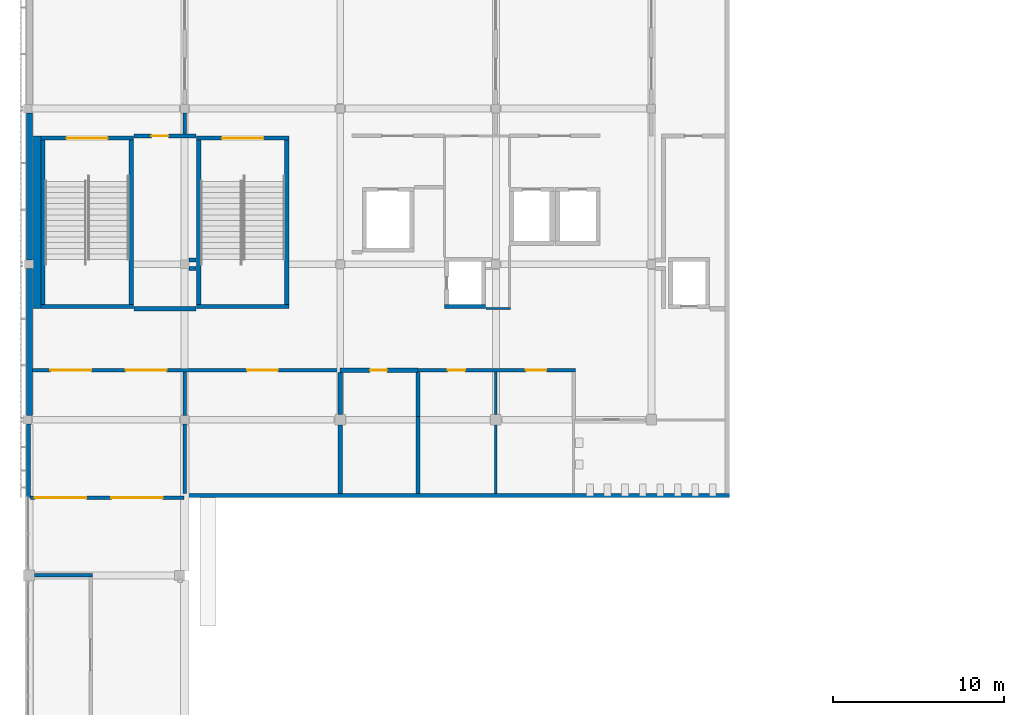
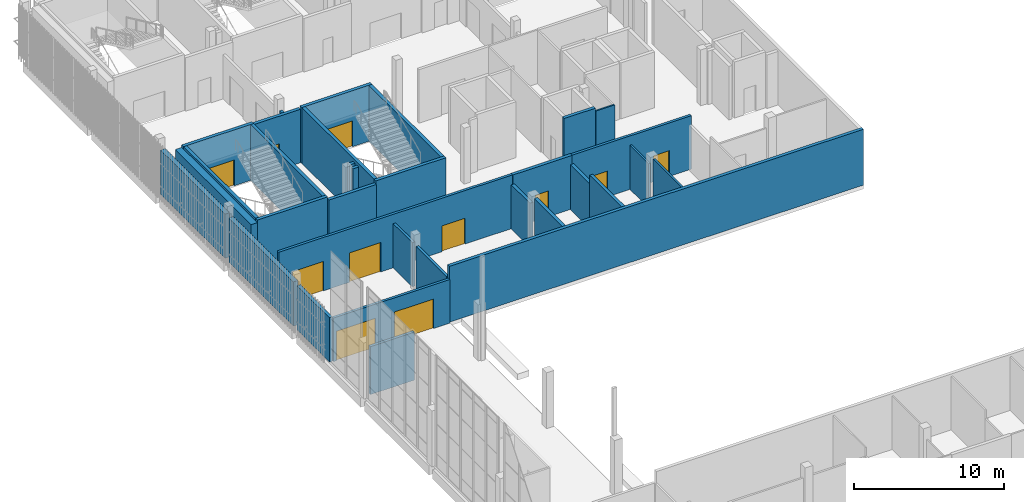
# One storey, part 47 of 91: 33 walls, 11 doors, 11 openings.
"""IFC4 building model written with IfcOpenShell, lengths in metres."""

import ifcopenshell
import ifcopenshell.guid

model = None  # the IFC model being written
_history = None  # IfcOwnerHistory: only IFC2X3 demands one
_inside = {}  # id of a spatial element -> (the spatial element, [elements in it])
_under = {}  # id of a project, library or spatial element -> (it, [spatial elements below it])
_declared = {}  # id of a project -> (the project, [libraries it declares])
_typed = {}  # id of a type object -> (the type object, [elements of that type])
_made_of = {}  # id of a material, layer set ... -> (it, [elements and type objects made of it])


def new_model(schema):
    """Start an empty IFC model of exactly this schema.

    Asked for "IFC4X3", IfcOpenShell would pick the latest addendum, in which some entities
    have other attributes; the version numbers below select the first issue.
    IFC2X3 requires an IfcOwnerHistory on every rooted entity: one is made here for all.
    """
    global model, _history
    if schema == "IFC4X3":
        model = ifcopenshell.file(schema_version=(4, 3, 0, 0))
    else:
        model = ifcopenshell.file(schema=schema)
    _inside.clear()
    _under.clear()
    _declared.clear()
    _typed.clear()
    _made_of.clear()
    _history = None
    if model.schema == "IFC2X3":
        org = make("IfcOrganization", Name="unknown")
        user = make(
            "IfcPersonAndOrganization",
            ThePerson=make("IfcPerson", FamilyName="unknown"),
            TheOrganization=org,
        )
        app = make(
            "IfcApplication",
            ApplicationDeveloper=org,
            Version="unknown",
            ApplicationFullName="unknown",
            ApplicationIdentifier="unknown",
        )
        _history = make(
            "IfcOwnerHistory",
            OwningUser=user,
            OwningApplication=app,
            ChangeAction="ADDED",
            CreationDate=0,
        )
    return model


def make(cls, **values):
    """One entity of the class cls with the attributes given. An attribute that is None is left unset."""
    return model.create_entity(
        cls, **{name: value for name, value in values.items() if value is not None}
    )


def rooted(cls, **values):
    """An entity with a GlobalId (a new one), such as an element, a storey or a relation."""
    return make(cls, GlobalId=ifcopenshell.guid.new(), OwnerHistory=_history, **values)


def si_unit(unit_type, name, prefix=None):
    """IfcSIUnit, for example si_unit("LENGTHUNIT", "METRE", prefix="MILLI")."""
    return make("IfcSIUnit", UnitType=unit_type, Prefix=prefix, Name=name)


def assignment(units):
    """IfcUnitAssignment: the units of a project."""
    return None if units is None else make("IfcUnitAssignment", Units=units)


def point(xyz):
    """IfcCartesianPoint."""
    return None if xyz is None else make("IfcCartesianPoint", Coordinates=xyz)


def direction(xyz):
    """IfcDirection."""
    return None if xyz is None else make("IfcDirection", DirectionRatios=xyz)


def frame(location, z_axis=None, x_axis=None):
    """IfcAxis2Placement3D, a coordinate frame: its origin and axes. An axis left out is left unset."""
    return make(
        "IfcAxis2Placement3D",
        Location=point(location),
        Axis=direction(z_axis),
        RefDirection=direction(x_axis),
    )


def frame_2d(location, x_axis=None):
    """IfcAxis2Placement2D, a coordinate frame in the plane: its origin and x axis."""
    return make(
        "IfcAxis2Placement2D", Location=point(location), RefDirection=direction(x_axis)
    )


def origin():
    """The frame at (0, 0, 0) with its axes left unset."""
    return frame((0.0, 0.0, 0.0))


def place(relative_to, where):
    """IfcLocalPlacement: puts the frame where relative to a parent placement (None: the world)."""
    return make(
        "IfcLocalPlacement", PlacementRelTo=relative_to, RelativePlacement=where
    )


def context(
    kind, dimensions, precision=None, world=None, true_north=None, identifier=None
):
    """IfcGeometricRepresentationContext, for example the 3D "Model" context."""
    return make(
        "IfcGeometricRepresentationContext",
        ContextIdentifier=identifier,
        ContextType=kind,
        CoordinateSpaceDimension=dimensions,
        Precision=precision,
        WorldCoordinateSystem=world,
        TrueNorth=true_north,
    )


def subcontext(parent, identifier, kind, view, scale=None):
    """IfcGeometricRepresentationSubContext, for example "Body" below "Model"."""
    return make(
        "IfcGeometricRepresentationSubContext",
        ContextIdentifier=identifier,
        ContextType=kind,
        ParentContext=parent,
        TargetScale=scale,
        TargetView=view,
    )


def project(units=None, contexts=None):
    """IfcProject with its units and contexts."""
    return rooted(
        "IfcProject",
        Name="project",
        RepresentationContexts=contexts,
        UnitsInContext=assignment(units),
    )


def spatial(cls, under=None, at=None, **own):
    """A site, building, storey or space (cls), placed at a placement, below another one or the project."""
    s = rooted(cls, ObjectPlacement=at, **own)
    if under is not None:
        _under.setdefault(under.id(), (under, []))[1].append(s)
    return s


def profile(cls, at=None, kind="AREA", **sizes):
    """A parametric profile (cls). Its sizes go by their IFC names, for example OverallWidth=200.0."""
    return make(cls, ProfileType=kind, Position=at, **sizes)


def rectangle(**sizes):
    """IfcRectangleProfileDef."""
    return profile("IfcRectangleProfileDef", **sizes)


def extrude(swept, where, along, depth):
    """IfcExtrudedAreaSolid: the profile swept, set in the frame where, extruded along a direction by depth."""
    return make(
        "IfcExtrudedAreaSolid",
        SweptArea=swept,
        Position=where,
        ExtrudedDirection=direction(along),
        Depth=depth,
    )


def shape(context_of_items, identifier, shape_type, items):
    """IfcShapeRepresentation: the items that make up one representation, for example the "Body"."""
    return make(
        "IfcShapeRepresentation",
        ContextOfItems=context_of_items,
        RepresentationIdentifier=identifier,
        RepresentationType=shape_type,
        Items=items,
    )


def material(Name=None, Category=None):
    """IfcMaterial."""
    return make("IfcMaterial", Name=Name, Category=Category)


def layer(
    of_material, thickness, ventilated=None, Name=None, Category=None, Priority=None
):
    """IfcMaterialLayer: one layer of a wall or slab, of a material (None: an air gap)."""
    return make(
        "IfcMaterialLayer",
        Material=of_material,
        LayerThickness=thickness,
        IsVentilated=ventilated,
        Name=Name,
        Category=Category,
        Priority=Priority,
    )


def layer_set(layers, Name=None):
    """IfcMaterialLayerSet."""
    return make("IfcMaterialLayerSet", MaterialLayers=layers, LayerSetName=Name)


def made_of(thing, what):
    """Note that an element or type object is made of a material, layer set ...; save() writes the relation."""
    if what is not None:
        _made_of.setdefault(what.id(), (what, []))[1].append(thing)
    return thing


def type_object(cls, material=None, **own):
    """A type object (cls), such as IfcWallType, which elements share."""
    return made_of(rooted(cls, **own), material)


def element(
    cls,
    number,
    at=None,
    inside=None,
    cuts=None,
    type_object=None,
    material=None,
    context=None,
    identifier="Body",
    shape_type=None,
    held_by="IfcProductDefinitionShape",
    body=None,
    shapes=None,
    **own,
):
    """One element of the class cls, such as IfcWall. Its Tag is "e" and its number.

    at: its placement. inside: the storey or other place that contains it. cuts: it is an
    opening in that element (IfcRelVoidsElement). A single representation is given by context,
    identifier, shape_type and body (its items); several are given by shapes. held_by: the class
    of the entity that holds the representations. save() writes the other relations.
    """
    e = rooted(cls, Tag="e%d" % number, ObjectPlacement=at, **own)
    if body is not None:
        shapes = [shape(context, identifier, shape_type, body)]
    if shapes is not None:
        e.Representation = make(held_by, Representations=shapes)
    if inside is not None:
        _inside.setdefault(inside.id(), (inside, []))[1].append(e)
    if cuts is not None:
        rooted(
            "IfcRelVoidsElement", RelatingBuildingElement=cuts, RelatedOpeningElement=e
        )
    if type_object is not None:
        _typed.setdefault(type_object.id(), (type_object, []))[1].append(e)
    return made_of(e, material)


def fill(opening, filler):
    """IfcRelFillsElement: the door or window that sits in an opening."""
    return rooted(
        "IfcRelFillsElement",
        RelatingOpeningElement=opening,
        RelatedBuildingElement=filler,
    )


def aggregate(whole, parts):
    """IfcRelAggregates: a whole, such as a stair, and the parts it consists of."""
    return rooted("IfcRelAggregates", RelatingObject=whole, RelatedObjects=parts)


def save(model, path):
    """Write the relations noted so far, then the file.

    IfcRelAggregates (storeys below a building ...), IfcRelContainedInSpatialStructure (elements
    in a storey), IfcRelDefinesByType, IfcRelAssociatesMaterial and IfcRelDeclares: one each for
    every whole, place, type object, material and project.
    """
    for whole, parts in _under.values():
        aggregate(whole, parts)
    for where, things in _inside.values():
        rooted(
            "IfcRelContainedInSpatialStructure",
            RelatedElements=things,
            RelatingStructure=where,
        )
    for kind, things in _typed.values():
        rooted("IfcRelDefinesByType", RelatedObjects=things, RelatingType=kind)
    for what, things in _made_of.values():
        rooted("IfcRelAssociatesMaterial", RelatedObjects=things, RelatingMaterial=what)
    for by, libraries in _declared.values():
        rooted("IfcRelDeclares", RelatingContext=by, RelatedDefinitions=libraries)
    model.write(path)


model = new_model("IFC4")

# Units and contexts
model_context = context("Model", 3, precision=1e-05, world=origin(), true_north=direction((0.0, 1.0)))
body_context = subcontext(model_context, "Body", "Model", "MODEL_VIEW")
ifc_project = project(units=[si_unit("LENGTHUNIT", "METRE"), si_unit("AREAUNIT", "SQUARE_METRE"), si_unit("VOLUMEUNIT", "CUBIC_METRE"), si_unit("PLANEANGLEUNIT", "RADIAN"), si_unit("MASSUNIT", "GRAM", prefix="KILO")], contexts=[model_context])

# Site, building, storey
site_placement = place(None, origin())
site = spatial("IfcSite", under=ifc_project, at=site_placement, CompositionType="ELEMENT")
building_placement = place(site_placement, origin())
building = spatial("IfcBuilding", under=site, at=building_placement, Name="Shirokan Park Arena", CompositionType="ELEMENT")
storey_placement = place(building_placement, frame((0.0, 0.0, 24.570068359375)))
storey = spatial("IfcBuildingStorey", under=building, at=storey_placement, Name="L05", CompositionType="ELEMENT", Elevation=24.570068359375)

# Wall, opening, door
ifc_material_1 = material(Name="Plaster")
ifc_layer_1 = layer(ifc_material_1, 0.014892578125, Name="Plaster")
ifc_material_2 = material(Name="Concrete blockwork", Category="masonry")
ifc_layer_2 = layer(ifc_material_2, 0.219970703125, Name="Concrete blockwork 220")
ifc_layer_3 = layer(ifc_material_1, 0.014892578125, Name="Plaster")
ifc_layer_set_1 = layer_set([ifc_layer_1, ifc_layer_2, ifc_layer_3], Name="Plaster + Concrete blockwork 220")
wall_type_1 = type_object("IfcWallType", Name="Compartment wall 250", PredefinedType="SOLIDWALL", material=ifc_layer_set_1)
wall_1_placement = place(storey_placement, frame((6.1298828125, 89.39990234375, 0.0), z_axis=(0.0, 0.0, 1.0), x_axis=(1.0, 0.0, 0.0)))
wall_1 = element("IfcWall", 1, at=wall_1_placement, inside=storey, type_object=wall_type_1, Name="Compartment wall 250 L05", PredefinedType="SOLIDWALL", context=body_context, shape_type="SweptSolid", body=[
    extrude(rectangle(XDim=3.64013671875, YDim=0.25, at=frame_2d((1.820068359375, 0.0))), origin(), (0.0, 0.0, 1.0), 4.349853515625),
])
opening_1_placement = place(wall_1_placement, frame((1.02001953125, 0.0, 0.0)))
opening_1 = element("IfcOpeningElement", 2, at=opening_1_placement, cuts=wall_1, Name="Opening D-5033", PredefinedType="OPENING", context=body_context, shape_type="SweptSolid", body=[
    extrude(rectangle(XDim=1.0, YDim=2.10009765625, at=frame_2d((0.5, 1.050048828125))), frame((0.0, 0.135009765625, 0.0), z_axis=(0.0, -1.0, 0.0), x_axis=(1.0, 0.0, 0.0)), (0.0, 0.0, 1.0), 0.27001953125),
])
ifc_material_3 = material(Name="Timber door set, fire resisting", Category="wood")
door_type_1 = type_object("IfcDoorType", Name="Door 1000 x 2100", OperationType="SINGLE_SWING_LEFT", PredefinedType="DOOR", material=ifc_material_3)
door_1_placement = place(opening_1_placement, origin())
door_1 = element("IfcDoor", 3, at=door_1_placement, inside=storey, type_object=door_type_1, Name="Door to Kiosk Store 5.47 D-5033", OperationType="SINGLE_SWING_RIGHT", OverallHeight=2.10009765625, OverallWidth=1.0, PredefinedType="DOOR", context=body_context, shape_type="SweptSolid", body=[
    extrude(rectangle(XDim=1.0, YDim=2.10009765625, at=frame_2d((0.5, 1.050048828125))), frame((0.0, 0.02490234375, 0.0), z_axis=(0.0, -1.0, 0.0), x_axis=(1.0, 0.0, 0.0)), (0.0, 0.0, 1.0), 0.050048828125),
])
fill(opening_1, door_1)

# Walls
wall_2_placement = place(storey_placement, frame((9.35009765625, 81.64990234375, 0.0), z_axis=(0.0, 0.0, 1.0), x_axis=(1.0, 0.0, 0.0)))
element("IfcWall", 4, at=wall_2_placement, inside=storey, type_object=wall_type_1, Name="Compartment wall 250 L05", PredefinedType="SOLIDWALL", context=body_context, shape_type="SweptSolid", body=[
    extrude(rectangle(XDim=0.419921875, YDim=0.25, at=frame_2d((0.2099609375, 0.0))), origin(), (0.0, 0.0, 1.0), 4.349853515625),
])
wall_3_placement = place(storey_placement, frame((9.77001953125, 79.300048828125, 0.0), z_axis=(0.0, 0.0, 1.0), x_axis=(-1.0, 0.0, 0.0)))
element("IfcWall", 5, at=wall_3_placement, inside=storey, type_object=wall_type_1, Name="Compartment wall 250 L05", PredefinedType="SOLIDWALL", context=body_context, shape_type="SweptSolid", body=[
    extrude(rectangle(XDim=3.64013671875, YDim=0.25, at=frame_2d((1.820068359375, 0.0))), origin(), (0.0, 0.0, 1.0), 4.349853515625),
])
wall_4_placement = place(storey_placement, frame((9.77001953125, 82.14990234375, 0.0), z_axis=(0.0, 0.0, 1.0), x_axis=(-1.0, 0.0, 0.0)))
element("IfcWall", 6, at=wall_4_placement, inside=storey, type_object=wall_type_1, Name="Compartment wall 250 L05", PredefinedType="SOLIDWALL", context=body_context, shape_type="SweptSolid", body=[
    extrude(rectangle(XDim=0.419921875, YDim=0.25, at=frame_2d((0.2099609375, 0.0))), origin(), (0.0, 0.0, 1.0), 4.349853515625),
])
wall_5_placement = place(storey_placement, frame((18.199951171875, 72.5, 0.0), z_axis=(0.0, 0.0, 1.0), x_axis=(0.0, -1.0, 0.0)))
element("IfcWall", 7, at=wall_5_placement, inside=storey, type_object=wall_type_1, Name="Compartment wall 250 L05", PredefinedType="SOLIDWALL", context=body_context, shape_type="SweptSolid", body=[
    extrude(rectangle(XDim=4.0, YDim=0.25, at=frame_2d((2.0, 0.0))), origin(), (0.0, 0.0, 1.0), 4.349853515625),
])
wall_6_placement = place(storey_placement, frame((18.199951171875, 75.574951171875, 0.0), z_axis=(0.0, 0.0, 1.0), x_axis=(0.0, -1.0, 0.0)))
element("IfcWall", 8, at=wall_6_placement, inside=storey, type_object=wall_type_1, Name="Compartment wall 250 L05", PredefinedType="SOLIDWALL", context=body_context, shape_type="SweptSolid", body=[
    extrude(rectangle(XDim=2.474853515625, YDim=0.25, at=frame_2d((1.2373046875, 0.0))), origin(), (0.0, 0.0, 1.0), 3.599853515625),
])

# Wall, opening, door
wall_7_placement = place(storey_placement, frame((18.199951171875, 75.699951171875, 0.0), z_axis=(0.0, 0.0, 1.0), x_axis=(1.0, 0.0, 0.0)))
wall_7 = element("IfcWall", 9, at=wall_7_placement, inside=storey, type_object=wall_type_1, Name="Compartment wall 250 L05", PredefinedType="SOLIDWALL", context=body_context, shape_type="SweptSolid", body=[
    extrude(rectangle(XDim=4.550048828125, YDim=0.25, at=frame_2d((2.27490234375, 0.0))), origin(), (0.0, 0.0, 1.0), 4.349853515625),
])
opening_2_placement = place(wall_7_placement, frame((1.75, 0.0, 0.0)))
opening_2 = element("IfcOpeningElement", 10, at=opening_2_placement, cuts=wall_7, Name="Opening D-5040", PredefinedType="OPENING", context=body_context, shape_type="SweptSolid", body=[
    extrude(rectangle(XDim=1.0, YDim=2.10009765625, at=frame_2d((0.5, 1.050048828125))), frame((0.0, 0.135009765625, 0.0), z_axis=(0.0, -1.0, 0.0), x_axis=(1.0, 0.0, 0.0)), (0.0, 0.0, 1.0), 0.27001953125),
])
door_2_placement = place(opening_2_placement, origin())
door_2 = element("IfcDoor", 11, at=door_2_placement, inside=storey, type_object=door_type_1, Name="Door to Beverage Store 5.42 D-5040", OperationType="SINGLE_SWING_LEFT", OverallHeight=2.10009765625, OverallWidth=1.0, PredefinedType="DOOR", context=body_context, shape_type="SweptSolid", body=[
    extrude(rectangle(XDim=1.0, YDim=2.10009765625, at=frame_2d((0.5, 1.050048828125))), frame((0.0, 0.02490234375, 0.0), z_axis=(0.0, -1.0, 0.0), x_axis=(1.0, 0.0, 0.0)), (0.0, 0.0, 1.0), 0.050048828125),
])
fill(opening_2, door_2)

# Walls
wall_8_placement = place(storey_placement, frame((22.75, 75.574951171875, 0.0), z_axis=(0.0, 0.0, 1.0), x_axis=(0.0, -1.0, 0.0)))
element("IfcWall", 12, at=wall_8_placement, inside=storey, type_object=wall_type_1, Name="Compartment wall 250 L05", PredefinedType="SOLIDWALL", context=body_context, shape_type="SweptSolid", body=[
    extrude(rectangle(XDim=2.574951171875, YDim=0.25, at=frame_2d((1.28759765625, 0.0))), origin(), (0.0, 0.0, 1.0), 3.64990234375),
])
wall_9_placement = place(storey_placement, frame((22.75, 73.0, 0.0), z_axis=(0.0, 0.0, 1.0), x_axis=(0.0, -1.0, 0.0)))
element("IfcWall", 13, at=wall_9_placement, inside=storey, type_object=wall_type_1, Name="Compartment wall 250 L05", PredefinedType="SOLIDWALL", context=body_context, shape_type="SweptSolid", body=[
    extrude(rectangle(XDim=4.5, YDim=0.25, at=frame_2d((2.25, 0.0))), origin(), (0.0, 0.0, 1.0), 4.349853515625),
])

# Wall, openings, doors
ifc_material_4 = material(Name="Gypsum board")
ifc_layer_4 = layer(ifc_material_4, 0.02490234375, Name="Gypsum board, two layers")
ifc_material_5 = material(Name="Mineral wool insulation")
ifc_layer_5 = layer(ifc_material_5, 0.14990234375, Name="Mineral wool insulation")
ifc_layer_6 = layer(ifc_material_4, 0.02490234375, Name="Gypsum board, two layers")
ifc_layer_set_2 = layer_set([ifc_layer_4, ifc_layer_5, ifc_layer_6], Name="Gypsum board, two layers + Mineral wool insulation")
wall_type_2 = type_object("IfcWallType", Name="Corridor wall 200", PredefinedType="PARTITIONING", material=ifc_layer_set_2)
wall_10_placement = place(storey_placement, frame((0.10009765625, 68.25, 0.0), z_axis=(0.0, 0.0, 1.0), x_axis=(1.0, 0.0, 0.0)))
wall_10 = element("IfcWall", 14, at=wall_10_placement, inside=storey, type_object=wall_type_2, Name="Corridor wall 200 L05", PredefinedType="PARTITIONING", context=body_context, shape_type="SweptSolid", body=[
    extrude(rectangle(XDim=8.969970703125, YDim=0.199951171875, at=frame_2d((4.48486328125, 0.0))), origin(), (0.0, 0.0, 1.0), 3.550048828125),
])
opening_3_placement = place(wall_10_placement, frame((4.719970703125, 0.0, 0.0)))
opening_3 = element("IfcOpeningElement", 15, at=opening_3_placement, cuts=wall_10, Name="Opening D-5120", PredefinedType="OPENING", context=body_context, shape_type="SweptSolid", body=[
    extrude(rectangle(XDim=3.0, YDim=2.39990234375, at=frame_2d((1.5, 1.199951171875))), frame((0.0, 0.10986328125, 0.0), z_axis=(0.0, -1.0, 0.0), x_axis=(1.0, 0.0, 0.0)), (0.0, 0.0, 1.0), 0.219970703125),
])
opening_4_placement = place(wall_10_placement, frame((0.25, 0.0, 0.0)))
opening_4 = element("IfcOpeningElement", 16, at=opening_4_placement, cuts=wall_10, Name="Opening D-5121", PredefinedType="OPENING", context=body_context, shape_type="SweptSolid", body=[
    extrude(rectangle(XDim=3.0, YDim=2.39990234375, at=frame_2d((1.5, 1.199951171875))), frame((0.0, 0.10986328125, 0.0), z_axis=(0.0, -1.0, 0.0), x_axis=(1.0, 0.0, 0.0)), (0.0, 0.0, 1.0), 0.219970703125),
])
ifc_material_6 = material(Name="Glazed steel door set, fire resisting", Category="steel")
door_type_2 = type_object("IfcDoorType", Name="Concourse door 3000 x 2400", OperationType="DOUBLE_DOOR_SINGLE_SWING", PredefinedType="DOOR", material=ifc_material_6)
door_3_placement = place(opening_3_placement, origin())
door_3 = element("IfcDoor", 17, at=door_3_placement, inside=storey, type_object=door_type_2, Name="Door between Concourse Link 4.5 and Concourse L05 West Hall D-5120", OperationType="DOUBLE_DOOR_SINGLE_SWING", OverallHeight=2.39990234375, OverallWidth=3.0, PredefinedType="DOOR", context=body_context, shape_type="SweptSolid", body=[
    extrude(rectangle(XDim=3.0, YDim=2.39990234375, at=frame_2d((1.5, 1.199951171875))), frame((0.0, 0.02490234375, 0.0), z_axis=(0.0, -1.0, 0.0), x_axis=(1.0, 0.0, 0.0)), (0.0, 0.0, 1.0), 0.050048828125),
])
fill(opening_3, door_3)
door_4_placement = place(opening_4_placement, origin())
door_4 = element("IfcDoor", 18, at=door_4_placement, inside=storey, type_object=door_type_2, Name="Door between Concourse Link 4.5 and Concourse L05 West Hall D-5121", OperationType="DOUBLE_DOOR_SINGLE_SWING", OverallHeight=2.39990234375, OverallWidth=3.0, PredefinedType="DOOR", context=body_context, shape_type="SweptSolid", body=[
    extrude(rectangle(XDim=3.0, YDim=2.39990234375, at=frame_2d((1.5, 1.199951171875))), frame((0.0, 0.02490234375, 0.0), z_axis=(0.0, -1.0, 0.0), x_axis=(1.0, 0.0, 0.0)), (0.0, 0.0, 1.0), 0.050048828125),
])
fill(opening_4, door_4)

# Walls
wall_11_placement = place(storey_placement, frame((9.10009765625, 68.5, 0.0), z_axis=(0.0, 0.0, 1.0), x_axis=(0.0, 1.0, 0.0)))
element("IfcWall", 19, at=wall_11_placement, inside=storey, type_object=wall_type_2, Name="Corridor wall 200 L05", PredefinedType="PARTITIONING", context=body_context, shape_type="SweptSolid", body=[
    extrude(rectangle(XDim=4.050048828125, YDim=0.199951171875, at=frame_2d((2.02490234375, 0.0))), origin(), (0.0, 0.0, 1.0), 3.599853515625),
])
wall_12_placement = place(storey_placement, frame((9.10009765625, 73.050048828125, 0.0), z_axis=(0.0, 0.0, 1.0), x_axis=(0.0, 1.0, 0.0)))
element("IfcWall", 20, at=wall_12_placement, inside=storey, type_object=wall_type_2, Name="Corridor wall 200 L05", PredefinedType="PARTITIONING", context=body_context, shape_type="SweptSolid", body=[
    extrude(rectangle(XDim=2.550048828125, YDim=0.199951171875, at=frame_2d((1.27490234375, 0.0))), origin(), (0.0, 0.0, 1.0), 3.599853515625),
])

# Wall, openings, doors
wall_13_placement = place(storey_placement, frame((0.199951171875, 75.699951171875, 0.0), z_axis=(0.0, 0.0, 1.0), x_axis=(1.0, 0.0, 0.0)))
wall_13 = element("IfcWall", 21, at=wall_13_placement, inside=storey, type_object=wall_type_2, Name="Corridor wall 200 L05", PredefinedType="PARTITIONING", context=body_context, shape_type="SweptSolid", body=[
    extrude(rectangle(XDim=18.0, YDim=0.199951171875, at=frame_2d((9.0, 0.0))), origin(), (0.0, 0.0, 1.0), 4.349853515625),
])
opening_5_placement = place(wall_13_placement, frame((12.550048828125, 0.0, 0.0)))
opening_5 = element("IfcOpeningElement", 22, at=opening_5_placement, cuts=wall_13, Name="Opening D-5039", PredefinedType="OPENING", context=body_context, shape_type="SweptSolid", body=[
    extrude(rectangle(XDim=1.800048828125, YDim=2.10009765625, at=frame_2d((0.89990234375, 1.050048828125))), frame((0.0, 0.10986328125, 0.0), z_axis=(0.0, -1.0, 0.0), x_axis=(1.0, 0.0, 0.0)), (0.0, 0.0, 1.0), 0.219970703125),
])
opening_6_placement = place(wall_13_placement, frame((5.449951171875, 0.0, 0.0)))
opening_6 = element("IfcOpeningElement", 23, at=opening_6_placement, cuts=wall_13, Name="Opening D-5108", PredefinedType="OPENING", context=body_context, shape_type="SweptSolid", body=[
    extrude(rectangle(XDim=2.39990234375, YDim=2.39990234375, at=frame_2d((1.199951171875, 1.199951171875))), frame((0.0, 0.10986328125, 0.0), z_axis=(0.0, -1.0, 0.0), x_axis=(1.0, 0.0, 0.0)), (0.0, 0.0, 1.0), 0.219970703125),
])
opening_7_placement = place(wall_13_placement, frame((1.050048828125, 0.0, 0.0)))
opening_7 = element("IfcOpeningElement", 24, at=opening_7_placement, cuts=wall_13, Name="Opening D-5109", PredefinedType="OPENING", context=body_context, shape_type="SweptSolid", body=[
    extrude(rectangle(XDim=2.39990234375, YDim=2.39990234375, at=frame_2d((1.199951171875, 1.199951171875))), frame((0.0, 0.10986328125, 0.0), z_axis=(0.0, -1.0, 0.0), x_axis=(1.0, 0.0, 0.0)), (0.0, 0.0, 1.0), 0.219970703125),
])
door_type_3 = type_object("IfcDoorType", Name="Double door 1800 x 2100", OperationType="DOUBLE_DOOR_SINGLE_SWING", PredefinedType="DOOR", material=ifc_material_3)
door_5_placement = place(opening_5_placement, origin())
door_5 = element("IfcDoor", 25, at=door_5_placement, inside=storey, type_object=door_type_3, Name="Door to Cafe 5.41 D-5039", OperationType="DOUBLE_DOOR_SINGLE_SWING", OverallHeight=2.10009765625, OverallWidth=1.800048828125, PredefinedType="DOOR", context=body_context, shape_type="SweptSolid", body=[
    extrude(rectangle(XDim=1.800048828125, YDim=2.10009765625, at=frame_2d((0.89990234375, 1.050048828125))), frame((0.0, 0.02490234375, 0.0), z_axis=(0.0, -1.0, 0.0), x_axis=(1.0, 0.0, 0.0)), (0.0, 0.0, 1.0), 0.050048828125),
])
fill(opening_5, door_5)
ifc_material_7 = material(Name="Steel door set, fire resisting", Category="steel")
door_type_4 = type_object("IfcDoorType", Name="Double door 2400 x 2400", OperationType="DOUBLE_DOOR_SINGLE_SWING", PredefinedType="DOOR", material=ifc_material_7)
door_6_placement = place(opening_6_placement, origin())
door_6 = element("IfcDoor", 26, at=door_6_placement, inside=storey, type_object=door_type_4, Name="Door between Service Corridor 4.5 and Concourse Link 4.5 D-5108", OperationType="DOUBLE_DOOR_SINGLE_SWING", OverallHeight=2.39990234375, OverallWidth=2.39990234375, PredefinedType="DOOR", context=body_context, shape_type="SweptSolid", body=[
    extrude(rectangle(XDim=2.39990234375, YDim=2.39990234375, at=frame_2d((1.199951171875, 1.199951171875))), frame((0.0, 0.02490234375, 0.0), z_axis=(0.0, -1.0, 0.0), x_axis=(1.0, 0.0, 0.0)), (0.0, 0.0, 1.0), 0.050048828125),
])
fill(opening_6, door_6)
door_7_placement = place(opening_7_placement, origin())
door_7 = element("IfcDoor", 27, at=door_7_placement, inside=storey, type_object=door_type_4, Name="Door between Service Corridor 4.5 and Concourse Link 4.5 D-5109", OperationType="DOUBLE_DOOR_SINGLE_SWING", OverallHeight=2.39990234375, OverallWidth=2.39990234375, PredefinedType="DOOR", context=body_context, shape_type="SweptSolid", body=[
    extrude(rectangle(XDim=2.39990234375, YDim=2.39990234375, at=frame_2d((1.199951171875, 1.199951171875))), frame((0.0, 0.02490234375, 0.0), z_axis=(0.0, -1.0, 0.0), x_axis=(1.0, 0.0, 0.0)), (0.0, 0.0, 1.0), 0.050048828125),
])
fill(opening_7, door_7)

# Wall
wall_14_placement = place(storey_placement, frame((9.10009765625, 90.75, 0.0), z_axis=(0.0, 0.0, 1.0), x_axis=(0.0, -1.0, 0.0)))
element("IfcWall", 28, at=wall_14_placement, inside=storey, type_object=wall_type_2, Name="Corridor wall 200 L05", PredefinedType="PARTITIONING", context=body_context, shape_type="SweptSolid", body=[
    extrude(rectangle(XDim=1.22509765625, YDim=0.199951171875, at=frame_2d((0.612548828125, 0.0))), origin(), (0.0, 0.0, 1.0), 3.599853515625),
])

# Wall, openings, doors
wall_15_placement = place(storey_placement, frame((22.75, 75.699951171875, 0.0), z_axis=(0.0, 0.0, 1.0), x_axis=(1.0, 0.0, 0.0)))
wall_15 = element("IfcWall", 29, at=wall_15_placement, inside=storey, type_object=wall_type_2, Name="Corridor wall 200 L05", PredefinedType="PARTITIONING", context=body_context, shape_type="SweptSolid", body=[
    extrude(rectangle(XDim=9.199951171875, YDim=0.199951171875, at=frame_2d((4.60009765625, 0.0))), origin(), (0.0, 0.0, 1.0), 4.349853515625),
])
opening_8_placement = place(wall_15_placement, frame((1.75, 0.0, 0.0)))
opening_8 = element("IfcOpeningElement", 30, at=opening_8_placement, cuts=wall_15, Name="Opening D-5041", PredefinedType="OPENING", context=body_context, shape_type="SweptSolid", body=[
    extrude(rectangle(XDim=1.0, YDim=2.10009765625, at=frame_2d((0.5, 1.050048828125))), frame((0.0, 0.10986328125, 0.0), z_axis=(0.0, -1.0, 0.0), x_axis=(1.0, 0.0, 0.0)), (0.0, 0.0, 1.0), 0.219970703125),
])
opening_9_placement = place(wall_15_placement, frame((6.300048828125, 0.0, 0.0)))
opening_9 = element("IfcOpeningElement", 31, at=opening_9_placement, cuts=wall_15, Name="Opening D-5042", PredefinedType="OPENING", context=body_context, shape_type="SweptSolid", body=[
    extrude(rectangle(XDim=1.199951171875, YDim=2.10009765625, at=frame_2d((0.60009765625, 1.050048828125))), frame((0.0, 0.10986328125, 0.0), z_axis=(0.0, -1.0, 0.0), x_axis=(1.0, 0.0, 0.0)), (0.0, 0.0, 1.0), 0.219970703125),
])
door_8_placement = place(opening_8_placement, origin())
door_8 = element("IfcDoor", 32, at=door_8_placement, inside=storey, type_object=door_type_1, Name="Door to Staff Room 5.43 D-5041", OperationType="SINGLE_SWING_LEFT", OverallHeight=2.10009765625, OverallWidth=1.0, PredefinedType="DOOR", context=body_context, shape_type="SweptSolid", body=[
    extrude(rectangle(XDim=1.0, YDim=2.10009765625, at=frame_2d((0.5, 1.050048828125))), frame((0.0, 0.02490234375, 0.0), z_axis=(0.0, -1.0, 0.0), x_axis=(1.0, 0.0, 0.0)), (0.0, 0.0, 1.0), 0.050048828125),
])
fill(opening_8, door_8)
door_type_5 = type_object("IfcDoorType", Name="Medical room door 1200 x 2100", OperationType="SINGLE_SWING_LEFT", PredefinedType="DOOR", material=ifc_material_3)
door_9_placement = place(opening_9_placement, origin())
door_9 = element("IfcDoor", 33, at=door_9_placement, inside=storey, type_object=door_type_5, Name="Door to First Aid Post 5.44 D-5042", OperationType="SINGLE_SWING_RIGHT", OverallHeight=2.10009765625, OverallWidth=1.199951171875, PredefinedType="DOOR", context=body_context, shape_type="SweptSolid", body=[
    extrude(rectangle(XDim=1.199951171875, YDim=2.10009765625, at=frame_2d((0.60009765625, 1.050048828125))), frame((0.0, 0.02490234375, 0.0), z_axis=(0.0, -1.0, 0.0), x_axis=(1.0, 0.0, 0.0)), (0.0, 0.0, 1.0), 0.050048828125),
])
fill(opening_9, door_9)

# Walls
ifc_material_8 = material(Name="Cedar cladding")
ifc_layer_7 = layer(ifc_material_8, 0.030029296875, Name="Cedar cladding")
ifc_layer_8 = layer(ifc_material_5, 0.10009765625, Name="Mineral wool insulation")
ifc_material_9 = material(Name="Concrete C35", Category="concrete")
ifc_layer_9 = layer(ifc_material_9, 0.199951171875, Name="Concrete C35")
ifc_material_10 = material(Name="Gypsum board lining")
ifc_layer_10 = layer(ifc_material_10, 0.02001953125, Name="Gypsum board lining")
ifc_layer_set_3 = layer_set([ifc_layer_7, ifc_layer_8, ifc_layer_9, ifc_layer_10], Name="Cedar cladding + Mineral wool insulation + Concrete C35 + Gypsum board lining")
wall_type_3 = type_object("IfcWallType", Name="Insulated tower wall 350", PredefinedType="SOLIDWALL", material=ifc_layer_set_3)
wall_16_placement = place(storey_placement, frame((0.02490234375, 90.75, 0.0), z_axis=(0.0, 0.0, 1.0), x_axis=(0.0, -1.0, 0.0)))
element("IfcWall", 34, at=wall_16_placement, inside=storey, type_object=wall_type_3, Name="West facade wall bay 3 L05", PredefinedType="SOLIDWALL", context=body_context, shape_type="SweptSolid", body=[
    extrude(rectangle(XDim=8.60009765625, YDim=0.35009765625, at=frame_2d((4.300048828125, 0.0))), origin(), (0.0, 0.0, 1.0), 3.599853515625),
])
wall_17_placement = place(storey_placement, frame((0.02490234375, 81.64990234375, 0.0), z_axis=(0.0, 0.0, 1.0), x_axis=(0.0, -1.0, 0.0)))
element("IfcWall", 35, at=wall_17_placement, inside=storey, type_object=wall_type_3, Name="West facade wall bay 4 L05", PredefinedType="SOLIDWALL", context=body_context, shape_type="SweptSolid", body=[
    extrude(rectangle(XDim=8.599853515625, YDim=0.35009765625, at=frame_2d((4.2998046875, 0.0))), origin(), (0.0, 0.0, 1.0), 3.599853515625),
])
ifc_layer_11 = layer(ifc_material_9, 0.199951171875)
ifc_layer_set_4 = layer_set([ifc_layer_11], Name="Concrete C35 200 mm")
wall_type_4 = type_object("IfcWallType", Name="Pavilion RC wall 200", PredefinedType="SOLIDWALL", material=ifc_layer_set_4)
wall_18_placement = place(storey_placement, frame((3.699951171875, 63.699951171875, 0.0), z_axis=(0.0, 0.0, 1.0), x_axis=(-1.0, 0.0, 0.0)))
element("IfcWall", 36, at=wall_18_placement, inside=storey, type_object=wall_type_4, Name="Corridor wall 200 L05", PredefinedType="PARTITIONING", context=body_context, shape_type="SweptSolid", body=[
    extrude(rectangle(XDim=3.375, YDim=0.199951171875, at=frame_2d((1.6875, 0.0))), origin(), (0.0, 0.0, 1.0), 3.89990234375),
])
ifc_material_11 = material(Name="Concrete C40/50 precast", Category="concrete")
ifc_layer_12 = layer(ifc_material_11, 0.10009765625, Name="Concrete C40/50 precast")
ifc_layer_13 = layer(ifc_material_5, 0.10009765625, Name="Mineral wool insulation")
ifc_layer_14 = layer(ifc_material_10, 0.050048828125, Name="Gypsum board lining")
ifc_layer_set_5 = layer_set([ifc_layer_12, ifc_layer_13, ifc_layer_14], Name="Concrete C40/50 precast + Mineral wool insulation + Gypsum board lining")
wall_type_5 = type_object("IfcWallType", Name="Precast concrete panel wall 250", PredefinedType="SOLIDWALL", material=ifc_layer_set_5)
wall_19_placement = place(storey_placement, frame((-0.02490234375, 72.550048828125, 0.0), z_axis=(0.0, 0.0, 1.0), x_axis=(0.0, -1.0, 0.0)))
element("IfcWall", 37, at=wall_19_placement, inside=storey, type_object=wall_type_5, Name="West facade wall bay 5 L05", PredefinedType="SOLIDWALL", context=body_context, shape_type="SweptSolid", body=[
    extrude(rectangle(XDim=4.300048828125, YDim=0.25, at=frame_2d((2.14990234375, 0.0))), origin(), (0.0, 0.0, 1.0), 3.599853515625),
])
ifc_layer_15 = layer(ifc_material_9, 0.25)
ifc_layer_set_6 = layer_set([ifc_layer_15], Name="Concrete C35 250 mm")
wall_type_6 = type_object("IfcWallType", Name="RC flank wall 250", PredefinedType="SHEAR", material=ifc_layer_set_6)
wall_20_placement = place(storey_placement, frame((40.949951171875, 68.375, 0.0), z_axis=(0.0, 0.0, 1.0), x_axis=(-1.0, 0.0, 0.0)))
element("IfcWall", 38, at=wall_20_placement, inside=storey, type_object=wall_type_6, Name="Flank wall W2 L05", PredefinedType="SHEAR", context=body_context, shape_type="SweptSolid", body=[
    extrude(rectangle(XDim=31.849853515625, YDim=0.25, at=frame_2d((15.9248046875, 0.0))), origin(), (0.0, 0.0, 1.0), 4.550048828125),
])
ifc_material_12 = material(Name="Concrete C40/50", Category="concrete")
ifc_layer_16 = layer(ifc_material_12, 0.25)
ifc_layer_set_7 = layer_set([ifc_layer_16], Name="Concrete C40/50 250 mm")
wall_type_7 = type_object("IfcWallType", Name="RC shear wall 250", PredefinedType="SHEAR", material=ifc_layer_set_7)
wall_21_placement = place(storey_placement, frame((26.699951171875, 79.425048828125, 0.0), z_axis=(0.0, 0.0, 1.0), x_axis=(-1.0, 0.0, 0.0)))
element("IfcWall", 39, at=wall_21_placement, inside=storey, type_object=wall_type_7, Name="Shaft wall Services Riser 4.2 S L05", PredefinedType="SHEAR", context=body_context, shape_type="SweptSolid", body=[
    extrude(rectangle(XDim=2.39990234375, YDim=0.25, at=frame_2d((1.199951171875, 0.0))), origin(), (0.0, 0.0, 1.0), 4.550048828125),
])
wall_22_placement = place(storey_placement, frame((6.10009765625, 79.425048828125, 0.0), z_axis=(0.0, 0.0, 1.0), x_axis=(-1.0, 0.0, 0.0)))
element("IfcWall", 40, at=wall_22_placement, inside=storey, type_object=wall_type_7, Name="Shaft wall Exit Stair 4.E S L05", PredefinedType="SHEAR", context=body_context, shape_type="SweptSolid", body=[
    extrude(rectangle(XDim=5.400146484375, YDim=0.25, at=frame_2d((2.7001953125, 0.0))), origin(), (0.0, 0.0, 1.0), 4.550048828125),
])

# Wall, opening, door
wall_23_placement = place(storey_placement, frame((6.10009765625, 89.27490234375, 0.0), z_axis=(0.0, 0.0, 1.0), x_axis=(-1.0, 0.0, 0.0)))
wall_23 = element("IfcWall", 41, at=wall_23_placement, inside=storey, type_object=wall_type_7, Name="Shaft wall Exit Stair 4.E N L05", PredefinedType="SHEAR", context=body_context, shape_type="SweptSolid", body=[
    extrude(rectangle(XDim=5.400146484375, YDim=0.25, at=frame_2d((2.7001953125, 0.0))), origin(), (0.0, 0.0, 1.0), 4.550048828125),
])
opening_10_placement = place(wall_23_placement, frame((1.5, 0.0, 0.0)))
opening_10 = element("IfcOpeningElement", 42, at=opening_10_placement, cuts=wall_23, Name="Opening D-5145", PredefinedType="OPENING", context=body_context, shape_type="SweptSolid", body=[
    extrude(rectangle(XDim=2.39990234375, YDim=2.10009765625, at=frame_2d((1.199951171875, 1.050048828125))), frame((0.0, 0.135009765625, 0.0), z_axis=(0.0, -1.0, 0.0), x_axis=(1.0, 0.0, 0.0)), (0.0, 0.0, 1.0), 0.27001953125),
])
door_type_6 = type_object("IfcDoorType", Name="Stair door 2400 x 2100", OperationType="DOUBLE_DOOR_SINGLE_SWING", PredefinedType="DOOR", material=ifc_material_7)
door_10_placement = place(opening_10_placement, origin())
door_10 = element("IfcDoor", 43, at=door_10_placement, inside=storey, type_object=door_type_6, Name="Stair door Exit Stair 4.E D-5145", OperationType="DOUBLE_DOOR_SINGLE_SWING", OverallHeight=2.10009765625, OverallWidth=2.39990234375, PredefinedType="DOOR", context=body_context, shape_type="SweptSolid", body=[
    extrude(rectangle(XDim=2.39990234375, YDim=2.10009765625, at=frame_2d((1.199951171875, 1.050048828125))), frame((0.0, 0.02490234375, 0.0), z_axis=(0.0, -1.0, 0.0), x_axis=(1.0, 0.0, 0.0)), (0.0, 0.0, 1.0), 0.050048828125),
])
fill(opening_10, door_10)

# Walls
for number, where, z_axis, x_axis, name in (
    (44, (0.824951171875, 89.14990234375, 0.0), (0.0, 0.0, 1.0), (0.0, -1.0, 0.0), "Shaft wall Exit Stair 4.E W L05"),
    (45, (5.97509765625, 89.14990234375, 0.0), (0.0, 0.0, 1.0), (0.0, -1.0, 0.0), "Shaft wall Exit Stair 4.E E L05"),
):
    element("IfcWall", number, at=place(storey_placement, frame(where, z_axis=z_axis, x_axis=x_axis)), inside=storey, type_object=wall_type_7, Name=name, PredefinedType="SHEAR", context=body_context, shape_type="SweptSolid", body=[
        extrude(rectangle(XDim=9.599853515625, YDim=0.25, at=frame_2d((4.7998046875, 0.0))), origin(), (0.0, 0.0, 1.0), 4.550048828125),
    ])
wall_24_placement = place(storey_placement, frame((15.199951171875, 79.425048828125, 0.0), z_axis=(0.0, 0.0, 1.0), x_axis=(-1.0, 0.0, 0.0)))
element("IfcWall", 46, at=wall_24_placement, inside=storey, type_object=wall_type_7, Name="Shaft wall Exit Stair 4.F S L05", PredefinedType="SHEAR", context=body_context, shape_type="SweptSolid", body=[
    extrude(rectangle(XDim=5.39990234375, YDim=0.25, at=frame_2d((2.699951171875, 0.0))), origin(), (0.0, 0.0, 1.0), 4.550048828125),
])

# Wall, opening, door
wall_25_placement = place(storey_placement, frame((15.199951171875, 89.27490234375, 0.0), z_axis=(0.0, 0.0, 1.0), x_axis=(-1.0, 0.0, 0.0)))
wall_25 = element("IfcWall", 47, at=wall_25_placement, inside=storey, type_object=wall_type_7, Name="Shaft wall Exit Stair 4.F N L05", PredefinedType="SHEAR", context=body_context, shape_type="SweptSolid", body=[
    extrude(rectangle(XDim=5.39990234375, YDim=0.25, at=frame_2d((2.699951171875, 0.0))), origin(), (0.0, 0.0, 1.0), 4.550048828125),
])
opening_11_placement = place(wall_25_placement, frame((1.5, 0.0, 0.0)))
opening_11 = element("IfcOpeningElement", 48, at=opening_11_placement, cuts=wall_25, Name="Opening D-5146", PredefinedType="OPENING", context=body_context, shape_type="SweptSolid", body=[
    extrude(rectangle(XDim=2.39990234375, YDim=2.10009765625, at=frame_2d((1.199951171875, 1.050048828125))), frame((0.0, 0.135009765625, 0.0), z_axis=(0.0, -1.0, 0.0), x_axis=(1.0, 0.0, 0.0)), (0.0, 0.0, 1.0), 0.27001953125),
])
door_11_placement = place(opening_11_placement, origin())
door_11 = element("IfcDoor", 49, at=door_11_placement, inside=storey, type_object=door_type_6, Name="Stair door Exit Stair 4.F D-5146", OperationType="DOUBLE_DOOR_SINGLE_SWING", OverallHeight=2.10009765625, OverallWidth=2.39990234375, PredefinedType="DOOR", context=body_context, shape_type="SweptSolid", body=[
    extrude(rectangle(XDim=2.39990234375, YDim=2.10009765625, at=frame_2d((1.199951171875, 1.050048828125))), frame((0.0, 0.02490234375, 0.0), z_axis=(0.0, -1.0, 0.0), x_axis=(1.0, 0.0, 0.0)), (0.0, 0.0, 1.0), 0.050048828125),
])
fill(opening_11, door_11)

# Walls
for number, where, z_axis, x_axis, name in (
    (50, (9.925048828125, 89.14990234375, 0.0), (0.0, 0.0, 1.0), (0.0, -1.0, 0.0), "Shaft wall Exit Stair 4.F W L05"),
    (51, (15.074951171875, 89.14990234375, 0.0), (0.0, 0.0, 1.0), (0.0, -1.0, 0.0), "Shaft wall Exit Stair 4.F E L05"),
):
    element("IfcWall", number, at=place(storey_placement, frame(where, z_axis=z_axis, x_axis=x_axis)), inside=storey, type_object=wall_type_7, Name=name, PredefinedType="SHEAR", context=body_context, shape_type="SweptSolid", body=[
        extrude(rectangle(XDim=9.599853515625, YDim=0.25, at=frame_2d((4.7998046875, 0.0))), origin(), (0.0, 0.0, 1.0), 4.550048828125),
    ])
ifc_layer_17 = layer(ifc_material_4, 0.012451171875, Name="Gypsum board")
ifc_layer_18 = layer(ifc_material_5, 0.125, Name="Mineral wool insulation")
ifc_layer_19 = layer(ifc_material_4, 0.012451171875, Name="Gypsum board")
ifc_layer_set_8 = layer_set([ifc_layer_17, ifc_layer_18, ifc_layer_19], Name="Gypsum board + Mineral wool insulation")
wall_type_8 = type_object("IfcWallType", Name="Room partition 150", PredefinedType="PARTITIONING", material=ifc_layer_set_8)
wall_26_placement = place(storey_placement, frame((27.300048828125, 72.5, 0.0), z_axis=(0.0, 0.0, 1.0), x_axis=(0.0, -1.0, 0.0)))
element("IfcWall", 52, at=wall_26_placement, inside=storey, type_object=wall_type_8, Name="Room partition 150 L05", PredefinedType="PARTITIONING", context=body_context, shape_type="SweptSolid", body=[
    extrude(rectangle(XDim=4.0, YDim=0.14990234375, at=frame_2d((2.0, 0.0))), origin(), (0.0, 0.0, 1.0), 4.349853515625),
])
wall_27_placement = place(storey_placement, frame((27.300048828125, 75.60009765625, 0.0), z_axis=(0.0, 0.0, 1.0), x_axis=(0.0, -1.0, 0.0)))
element("IfcWall", 53, at=wall_27_placement, inside=storey, type_object=wall_type_8, Name="Room partition 150 L05", PredefinedType="PARTITIONING", context=body_context, shape_type="SweptSolid", body=[
    extrude(rectangle(XDim=2.5, YDim=0.14990234375, at=frame_2d((1.25, 0.0))), origin(), (0.0, 0.0, 1.0), 3.599853515625),
])
ifc_layer_20 = layer(ifc_material_9, 0.5)
ifc_layer_set_9 = layer_set([ifc_layer_20], Name="Concrete C35 500 mm")
wall_type_9 = type_object("IfcWallType", Name="Shaft infill wall 500", PredefinedType="SOLIDWALL", material=ifc_layer_set_9)
wall_28_placement = place(storey_placement, frame((0.449951171875, 79.300048828125, 0.0), z_axis=(0.0, 0.0, 1.0), x_axis=(0.0, 1.0, 0.0)))
element("IfcWall", 54, at=wall_28_placement, inside=storey, type_object=wall_type_9, Name="Shaft infill wall L05", PredefinedType="SOLIDWALL", context=body_context, shape_type="SweptSolid", body=[
    extrude(rectangle(XDim=10.099853515625, YDim=0.5, at=frame_2d((5.0498046875, 0.0))), origin(), (0.0, 0.0, 1.0), 4.349853515625),
])
ifc_material_13 = material(Name="Ceramic tile")
ifc_layer_21 = layer(ifc_material_13, 0.010009765625, Name="Ceramic tile")
ifc_material_14 = material(Name="Cement board")
ifc_layer_22 = layer(ifc_material_14, 0.012451171875, Name="Cement board")
ifc_layer_23 = layer(ifc_material_5, 0.080078125, Name="Mineral wool insulation")
ifc_layer_24 = layer(ifc_material_14, 0.012451171875, Name="Cement board")
ifc_layer_25 = layer(ifc_material_13, 0.010009765625, Name="Ceramic tile")
ifc_layer_set_10 = layer_set([ifc_layer_21, ifc_layer_22, ifc_layer_23, ifc_layer_24, ifc_layer_25], Name="Ceramic tile + Cement board + Mineral wool insulation")
wall_type_10 = type_object("IfcWallType", Name="Wet-area wall 125", PredefinedType="PARTITIONING", material=ifc_layer_set_10)
wall_29_placement = place(storey_placement, frame((28.16259765625, 79.300048828125, 0.0), z_axis=(0.0, 0.0, 1.0), x_axis=(-1.0, 0.0, 0.0)))
element("IfcWall", 55, at=wall_29_placement, inside=storey, type_object=wall_type_10, Name="Wet-area wall 125 L05", PredefinedType="PARTITIONING", context=body_context, shape_type="SweptSolid", body=[
    extrude(rectangle(XDim=1.4326171875, YDim=0.125, at=frame_2d((0.71630859375, 0.0))), origin(), (0.0, 0.0, 1.0), 4.349853515625),
])

save(model, "model.ifc")
